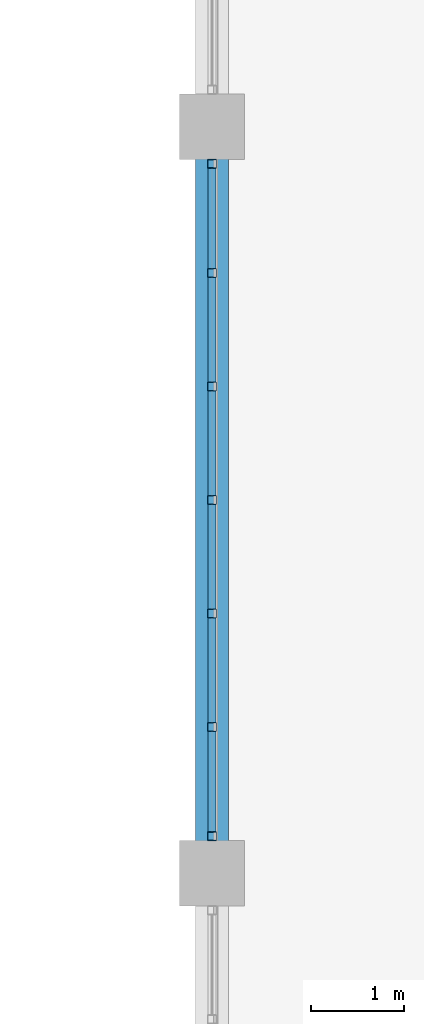
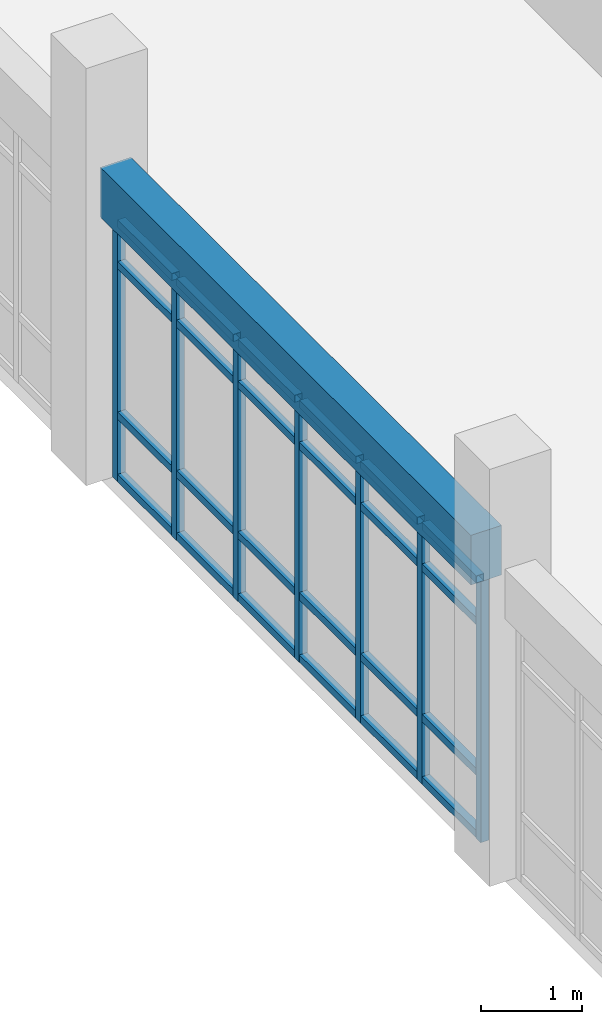
# One storey, part 95 of 159: 31 members, 1 beam, 1 element without a shape of its own.
"""IFC4 building model written with IfcOpenShell, lengths in metres."""

from ifc_helpers import new_model, si_unit, direction, frame, origin, origin_2d, place, context, subcontext, project, spatial, rectangle, hollow_rectangle, extrude, material, material_profile, profile_set, type_object, element, aggregate, save


model = new_model("IFC4")

# Units and contexts
model_context = context("Model", 3, precision=1e-05, world=origin(), true_north=direction((0.0, 1.0)))
body_context = subcontext(model_context, "Body", "Model", "MODEL_VIEW")
ifc_project = project(units=[si_unit("LENGTHUNIT", "METRE"), si_unit("AREAUNIT", "SQUARE_METRE"), si_unit("VOLUMEUNIT", "CUBIC_METRE"), si_unit("PLANEANGLEUNIT", "RADIAN"), si_unit("MASSUNIT", "GRAM", prefix="KILO")], contexts=[model_context])

# Site, building, storey
site_placement = place(None, origin())
site = spatial("IfcSite", under=ifc_project, at=site_placement, CompositionType="ELEMENT")
building_placement = place(site_placement, origin())
building = spatial("IfcBuilding", under=site, at=building_placement, Name="Celadon Cloister-Ring School", CompositionType="ELEMENT")
storey_placement = place(building_placement, frame((0.0, 0.0, 4.5)))
storey = spatial("IfcBuildingStorey", under=building, at=storey_placement, Name="L01", CompositionType="ELEMENT", Elevation=4.5)

# Beam
ifc_material_1 = material(Name="Concrete C35/45", Category="concrete")
ifc_material_profile_1 = material_profile(ifc_material_1, rectangle(XDim=0.35009765625, YDim=0.60009765625, at=origin_2d()), Name="RC350X600")
ifc_profile_set_1 = profile_set([ifc_material_profile_1], Name="Concrete C35/45")
beam_type = type_object("IfcBeamType", Name="BT-02", PredefinedType="BEAM", material=ifc_profile_set_1)
beam_placement = place(storey_placement, frame((142.0, 90.324951171875, 3.47998046875), z_axis=(0.0, 1.0, 0.0), x_axis=(-1.0, 0.0, 0.0)))
element("IfcBeam", 1, at=beam_placement, inside=storey, type_object=beam_type, Name="Beam 1171", PredefinedType="BEAM", context=body_context, shape_type="SweptSolid", body=[
    extrude(rectangle(XDim=0.35009765625, YDim=0.60009765625, at=origin_2d()), origin(), (0.0, 0.0, 1.0), 7.35009765625),
])

# Curtain wall, members
ifc_material_2 = material(Name="Aluminium EN AW-6063 T6", Category="aluminium")
curtain_wall_type = type_object("IfcCurtainWallType", Name="CW-09", PredefinedType="USERDEFINED", material=ifc_material_2)
curtain_wall_placement = place(storey_placement, origin())
curtain_wall = element("IfcCurtainWall", 2, at=curtain_wall_placement, inside=storey, type_object=curtain_wall_type, Name="Curtain Wall 0186", ObjectType="CURTAIN WALL", PredefinedType="USERDEFINED")
ifc_material_3 = material(Name="Aluminium EN AW-6063 T6", Category="aluminium")
ifc_material_profile_2 = material_profile(ifc_material_3, hollow_rectangle(XDim=0.094970703125, YDim=0.094970703125, WallThickness=0.00390625, at=origin_2d()), Name="RHS95X95X4")
ifc_profile_set_2 = profile_set([ifc_material_profile_2], Name="Aluminium EN AW-6063 T6")
member_type_1 = type_object("IfcMemberType", Name="CM-02", PredefinedType="MULLION", material=ifc_profile_set_2)
member_1_placement = place(storey_placement, frame((142.0, 90.3974609375, 0.0), z_axis=(0.0, 0.0, 1.0), x_axis=(-1.0, 0.0, 0.0)))
member_1 = element("IfcMember", 3, at=member_1_placement, type_object=member_type_1, Name="CW-09 mullion 1", PredefinedType="MULLION", context=body_context, shape_type="SweptSolid", body=[
    extrude(hollow_rectangle(XDim=0.094970703125, YDim=0.094970703125, WallThickness=0.00390625, at=origin_2d()), origin(), (0.0, 0.0, 1.0), 3.172119140625),
])
member_2_placement = place(storey_placement, frame((142.0, 91.566650390625, 0.0), z_axis=(0.0, 0.0, 1.0), x_axis=(-1.0, 0.0, 0.0)))
member_2 = element("IfcMember", 4, at=member_2_placement, type_object=member_type_1, Name="CW-09 mullion 2", PredefinedType="MULLION", context=body_context, shape_type="SweptSolid", body=[
    extrude(hollow_rectangle(XDim=0.094970703125, YDim=0.094970703125, WallThickness=0.00390625, at=origin_2d()), origin(), (0.0, 0.0, 1.0), 3.172119140625),
])
member_3_placement = place(storey_placement, frame((142.0, 92.783447265625, 0.0), z_axis=(0.0, 0.0, 1.0), x_axis=(-1.0, 0.0, 0.0)))
member_3 = element("IfcMember", 5, at=member_3_placement, type_object=member_type_1, Name="CW-09 mullion 3", PredefinedType="MULLION", context=body_context, shape_type="SweptSolid", body=[
    extrude(hollow_rectangle(XDim=0.094970703125, YDim=0.094970703125, WallThickness=0.00390625, at=origin_2d()), origin(), (0.0, 0.0, 1.0), 3.172119140625),
])
member_4_placement = place(storey_placement, frame((142.0, 94.0, 0.0), z_axis=(0.0, 0.0, 1.0), x_axis=(-1.0, 0.0, 0.0)))
member_4 = element("IfcMember", 6, at=member_4_placement, type_object=member_type_1, Name="CW-09 mullion 4", PredefinedType="MULLION", context=body_context, shape_type="SweptSolid", body=[
    extrude(hollow_rectangle(XDim=0.094970703125, YDim=0.094970703125, WallThickness=0.00390625, at=origin_2d()), origin(), (0.0, 0.0, 1.0), 3.172119140625),
])
member_5_placement = place(storey_placement, frame((142.0, 95.216552734375, 0.0), z_axis=(0.0, 0.0, 1.0), x_axis=(-1.0, 0.0, 0.0)))
member_5 = element("IfcMember", 7, at=member_5_placement, type_object=member_type_1, Name="CW-09 mullion 5", PredefinedType="MULLION", context=body_context, shape_type="SweptSolid", body=[
    extrude(hollow_rectangle(XDim=0.094970703125, YDim=0.094970703125, WallThickness=0.00390625, at=origin_2d()), origin(), (0.0, 0.0, 1.0), 3.172119140625),
])
member_6_placement = place(storey_placement, frame((142.0, 96.433349609375, 0.0), z_axis=(0.0, 0.0, 1.0), x_axis=(-1.0, 0.0, 0.0)))
member_6 = element("IfcMember", 8, at=member_6_placement, type_object=member_type_1, Name="CW-09 mullion 6", PredefinedType="MULLION", context=body_context, shape_type="SweptSolid", body=[
    extrude(hollow_rectangle(XDim=0.094970703125, YDim=0.094970703125, WallThickness=0.00390625, at=origin_2d()), origin(), (0.0, 0.0, 1.0), 3.172119140625),
])
member_7_placement = place(storey_placement, frame((142.0, 97.6025390625, 0.0), z_axis=(0.0, 0.0, 1.0), x_axis=(-1.0, 0.0, 0.0)))
member_7 = element("IfcMember", 9, at=member_7_placement, type_object=member_type_1, Name="CW-09 mullion 7", PredefinedType="MULLION", context=body_context, shape_type="SweptSolid", body=[
    extrude(hollow_rectangle(XDim=0.094970703125, YDim=0.094970703125, WallThickness=0.00390625, at=origin_2d()), origin(), (0.0, 0.0, 1.0), 3.172119140625),
])
ifc_material_4 = material(Name="Aluminium EN AW-6063 T6", Category="aluminium")
ifc_material_profile_3 = material_profile(ifc_material_4, hollow_rectangle(XDim=0.090087890625, YDim=0.090087890625, WallThickness=0.00390625, at=origin_2d()), Name="RHS90X90X4")
ifc_profile_set_3 = profile_set([ifc_material_profile_3], Name="Aluminium EN AW-6063 T6")
member_type_2 = type_object("IfcMemberType", Name="CTM-02", PredefinedType="USERDEFINED", material=ifc_profile_set_3)
member_8_placement = place(storey_placement, frame((142.0, 90.445068359375, 0.044921875), z_axis=(0.0, 1.0, 0.0), x_axis=(-1.0, 0.0, 0.0)))
member_8 = element("IfcMember", 10, at=member_8_placement, type_object=member_type_2, Name="CW-09 transom 1.1", ObjectType="TRANSOM", PredefinedType="USERDEFINED", context=body_context, shape_type="SweptSolid", body=[
    extrude(hollow_rectangle(XDim=0.090087890625, YDim=0.090087890625, WallThickness=0.00390625, at=origin_2d()), origin(), (0.0, 0.0, 1.0), 1.07421875),
])
member_9_placement = place(storey_placement, frame((142.0, 90.445068359375, 0.800048828125), z_axis=(0.0, 1.0, 0.0), x_axis=(-1.0, 0.0, 0.0)))
member_9 = element("IfcMember", 11, at=member_9_placement, type_object=member_type_2, Name="CW-09 transom 1.2", ObjectType="TRANSOM", PredefinedType="USERDEFINED", context=body_context, shape_type="SweptSolid", body=[
    extrude(hollow_rectangle(XDim=0.090087890625, YDim=0.090087890625, WallThickness=0.00390625, at=origin_2d()), origin(), (0.0, 0.0, 1.0), 1.07421875),
])
member_10_placement = place(storey_placement, frame((142.0, 90.445068359375, 2.6220703125), z_axis=(0.0, 1.0, 0.0), x_axis=(-1.0, 0.0, 0.0)))
member_10 = element("IfcMember", 12, at=member_10_placement, type_object=member_type_2, Name="CW-09 transom 1.3", ObjectType="TRANSOM", PredefinedType="USERDEFINED", context=body_context, shape_type="SweptSolid", body=[
    extrude(hollow_rectangle(XDim=0.090087890625, YDim=0.090087890625, WallThickness=0.00390625, at=origin_2d()), origin(), (0.0, 0.0, 1.0), 1.07421875),
])
member_11_placement = place(storey_placement, frame((142.0, 90.445068359375, 3.126953125), z_axis=(0.0, 1.0, 0.0), x_axis=(-1.0, 0.0, 0.0)))
member_11 = element("IfcMember", 13, at=member_11_placement, type_object=member_type_2, Name="CW-09 transom 1.4", ObjectType="TRANSOM", PredefinedType="USERDEFINED", context=body_context, shape_type="SweptSolid", body=[
    extrude(hollow_rectangle(XDim=0.090087890625, YDim=0.090087890625, WallThickness=0.00390625, at=origin_2d()), origin(), (0.0, 0.0, 1.0), 1.07421875),
])
member_12_placement = place(storey_placement, frame((142.0, 91.6142578125, 0.044921875), z_axis=(0.0, 1.0, 0.0), x_axis=(-1.0, 0.0, 0.0)))
member_12 = element("IfcMember", 14, at=member_12_placement, type_object=member_type_2, Name="CW-09 transom 2.1", ObjectType="TRANSOM", PredefinedType="USERDEFINED", context=body_context, shape_type="SweptSolid", body=[
    extrude(hollow_rectangle(XDim=0.090087890625, YDim=0.090087890625, WallThickness=0.00390625, at=origin_2d()), origin(), (0.0, 0.0, 1.0), 1.12158203125),
])
member_13_placement = place(storey_placement, frame((142.0, 91.6142578125, 0.800048828125), z_axis=(0.0, 1.0, 0.0), x_axis=(-1.0, 0.0, 0.0)))
member_13 = element("IfcMember", 15, at=member_13_placement, type_object=member_type_2, Name="CW-09 transom 2.2", ObjectType="TRANSOM", PredefinedType="USERDEFINED", context=body_context, shape_type="SweptSolid", body=[
    extrude(hollow_rectangle(XDim=0.090087890625, YDim=0.090087890625, WallThickness=0.00390625, at=origin_2d()), origin(), (0.0, 0.0, 1.0), 1.12158203125),
])
member_14_placement = place(storey_placement, frame((142.0, 91.6142578125, 2.6220703125), z_axis=(0.0, 1.0, 0.0), x_axis=(-1.0, 0.0, 0.0)))
member_14 = element("IfcMember", 16, at=member_14_placement, type_object=member_type_2, Name="CW-09 transom 2.3", ObjectType="TRANSOM", PredefinedType="USERDEFINED", context=body_context, shape_type="SweptSolid", body=[
    extrude(hollow_rectangle(XDim=0.090087890625, YDim=0.090087890625, WallThickness=0.00390625, at=origin_2d()), origin(), (0.0, 0.0, 1.0), 1.12158203125),
])
member_15_placement = place(storey_placement, frame((142.0, 91.6142578125, 3.126953125), z_axis=(0.0, 1.0, 0.0), x_axis=(-1.0, 0.0, 0.0)))
member_15 = element("IfcMember", 17, at=member_15_placement, type_object=member_type_2, Name="CW-09 transom 2.4", ObjectType="TRANSOM", PredefinedType="USERDEFINED", context=body_context, shape_type="SweptSolid", body=[
    extrude(hollow_rectangle(XDim=0.090087890625, YDim=0.090087890625, WallThickness=0.00390625, at=origin_2d()), origin(), (0.0, 0.0, 1.0), 1.12158203125),
])
member_16_placement = place(storey_placement, frame((142.0, 92.830810546875, 0.044921875), z_axis=(0.0, 1.0, 0.0), x_axis=(-1.0, 0.0, 0.0)))
member_16 = element("IfcMember", 18, at=member_16_placement, type_object=member_type_2, Name="CW-09 transom 3.1", ObjectType="TRANSOM", PredefinedType="USERDEFINED", context=body_context, shape_type="SweptSolid", body=[
    extrude(hollow_rectangle(XDim=0.090087890625, YDim=0.090087890625, WallThickness=0.00390625, at=origin_2d()), origin(), (0.0, 0.0, 1.0), 1.12158203125),
])
member_17_placement = place(storey_placement, frame((142.0, 92.830810546875, 0.800048828125), z_axis=(0.0, 1.0, 0.0), x_axis=(-1.0, 0.0, 0.0)))
member_17 = element("IfcMember", 19, at=member_17_placement, type_object=member_type_2, Name="CW-09 transom 3.2", ObjectType="TRANSOM", PredefinedType="USERDEFINED", context=body_context, shape_type="SweptSolid", body=[
    extrude(hollow_rectangle(XDim=0.090087890625, YDim=0.090087890625, WallThickness=0.00390625, at=origin_2d()), origin(), (0.0, 0.0, 1.0), 1.12158203125),
])
member_18_placement = place(storey_placement, frame((142.0, 92.830810546875, 2.6220703125), z_axis=(0.0, 1.0, 0.0), x_axis=(-1.0, 0.0, 0.0)))
member_18 = element("IfcMember", 20, at=member_18_placement, type_object=member_type_2, Name="CW-09 transom 3.3", ObjectType="TRANSOM", PredefinedType="USERDEFINED", context=body_context, shape_type="SweptSolid", body=[
    extrude(hollow_rectangle(XDim=0.090087890625, YDim=0.090087890625, WallThickness=0.00390625, at=origin_2d()), origin(), (0.0, 0.0, 1.0), 1.12158203125),
])
member_19_placement = place(storey_placement, frame((142.0, 92.830810546875, 3.126953125), z_axis=(0.0, 1.0, 0.0), x_axis=(-1.0, 0.0, 0.0)))
member_19 = element("IfcMember", 21, at=member_19_placement, type_object=member_type_2, Name="CW-09 transom 3.4", ObjectType="TRANSOM", PredefinedType="USERDEFINED", context=body_context, shape_type="SweptSolid", body=[
    extrude(hollow_rectangle(XDim=0.090087890625, YDim=0.090087890625, WallThickness=0.00390625, at=origin_2d()), origin(), (0.0, 0.0, 1.0), 1.12158203125),
])
member_20_placement = place(storey_placement, frame((142.0, 94.047607421875, 0.044921875), z_axis=(0.0, 1.0, 0.0), x_axis=(-1.0, 0.0, 0.0)))
member_20 = element("IfcMember", 22, at=member_20_placement, type_object=member_type_2, Name="CW-09 transom 4.1", ObjectType="TRANSOM", PredefinedType="USERDEFINED", context=body_context, shape_type="SweptSolid", body=[
    extrude(hollow_rectangle(XDim=0.090087890625, YDim=0.090087890625, WallThickness=0.00390625, at=origin_2d()), origin(), (0.0, 0.0, 1.0), 1.12158203125),
])
member_21_placement = place(storey_placement, frame((142.0, 94.047607421875, 0.800048828125), z_axis=(0.0, 1.0, 0.0), x_axis=(-1.0, 0.0, 0.0)))
member_21 = element("IfcMember", 23, at=member_21_placement, type_object=member_type_2, Name="CW-09 transom 4.2", ObjectType="TRANSOM", PredefinedType="USERDEFINED", context=body_context, shape_type="SweptSolid", body=[
    extrude(hollow_rectangle(XDim=0.090087890625, YDim=0.090087890625, WallThickness=0.00390625, at=origin_2d()), origin(), (0.0, 0.0, 1.0), 1.12158203125),
])
member_22_placement = place(storey_placement, frame((142.0, 94.047607421875, 2.6220703125), z_axis=(0.0, 1.0, 0.0), x_axis=(-1.0, 0.0, 0.0)))
member_22 = element("IfcMember", 24, at=member_22_placement, type_object=member_type_2, Name="CW-09 transom 4.3", ObjectType="TRANSOM", PredefinedType="USERDEFINED", context=body_context, shape_type="SweptSolid", body=[
    extrude(hollow_rectangle(XDim=0.090087890625, YDim=0.090087890625, WallThickness=0.00390625, at=origin_2d()), origin(), (0.0, 0.0, 1.0), 1.12158203125),
])
member_23_placement = place(storey_placement, frame((142.0, 94.047607421875, 3.126953125), z_axis=(0.0, 1.0, 0.0), x_axis=(-1.0, 0.0, 0.0)))
member_23 = element("IfcMember", 25, at=member_23_placement, type_object=member_type_2, Name="CW-09 transom 4.4", ObjectType="TRANSOM", PredefinedType="USERDEFINED", context=body_context, shape_type="SweptSolid", body=[
    extrude(hollow_rectangle(XDim=0.090087890625, YDim=0.090087890625, WallThickness=0.00390625, at=origin_2d()), origin(), (0.0, 0.0, 1.0), 1.12158203125),
])
member_24_placement = place(storey_placement, frame((142.0, 95.26416015625, 0.044921875), z_axis=(0.0, 1.0, 0.0), x_axis=(-1.0, 0.0, 0.0)))
member_24 = element("IfcMember", 26, at=member_24_placement, type_object=member_type_2, Name="CW-09 transom 5.1", ObjectType="TRANSOM", PredefinedType="USERDEFINED", context=body_context, shape_type="SweptSolid", body=[
    extrude(hollow_rectangle(XDim=0.090087890625, YDim=0.090087890625, WallThickness=0.00390625, at=origin_2d()), origin(), (0.0, 0.0, 1.0), 1.12158203125),
])
member_25_placement = place(storey_placement, frame((142.0, 95.26416015625, 0.800048828125), z_axis=(0.0, 1.0, 0.0), x_axis=(-1.0, 0.0, 0.0)))
member_25 = element("IfcMember", 27, at=member_25_placement, type_object=member_type_2, Name="CW-09 transom 5.2", ObjectType="TRANSOM", PredefinedType="USERDEFINED", context=body_context, shape_type="SweptSolid", body=[
    extrude(hollow_rectangle(XDim=0.090087890625, YDim=0.090087890625, WallThickness=0.00390625, at=origin_2d()), origin(), (0.0, 0.0, 1.0), 1.12158203125),
])
member_26_placement = place(storey_placement, frame((142.0, 95.26416015625, 2.6220703125), z_axis=(0.0, 1.0, 0.0), x_axis=(-1.0, 0.0, 0.0)))
member_26 = element("IfcMember", 28, at=member_26_placement, type_object=member_type_2, Name="CW-09 transom 5.3", ObjectType="TRANSOM", PredefinedType="USERDEFINED", context=body_context, shape_type="SweptSolid", body=[
    extrude(hollow_rectangle(XDim=0.090087890625, YDim=0.090087890625, WallThickness=0.00390625, at=origin_2d()), origin(), (0.0, 0.0, 1.0), 1.12158203125),
])
member_27_placement = place(storey_placement, frame((142.0, 95.26416015625, 3.126953125), z_axis=(0.0, 1.0, 0.0), x_axis=(-1.0, 0.0, 0.0)))
member_27 = element("IfcMember", 29, at=member_27_placement, type_object=member_type_2, Name="CW-09 transom 5.4", ObjectType="TRANSOM", PredefinedType="USERDEFINED", context=body_context, shape_type="SweptSolid", body=[
    extrude(hollow_rectangle(XDim=0.090087890625, YDim=0.090087890625, WallThickness=0.00390625, at=origin_2d()), origin(), (0.0, 0.0, 1.0), 1.12158203125),
])
member_28_placement = place(storey_placement, frame((142.0, 96.480712890625, 0.044921875), z_axis=(0.0, 1.0, 0.0), x_axis=(-1.0, 0.0, 0.0)))
member_28 = element("IfcMember", 30, at=member_28_placement, type_object=member_type_2, Name="CW-09 transom 6.1", ObjectType="TRANSOM", PredefinedType="USERDEFINED", context=body_context, shape_type="SweptSolid", body=[
    extrude(hollow_rectangle(XDim=0.090087890625, YDim=0.090087890625, WallThickness=0.00390625, at=origin_2d()), origin(), (0.0, 0.0, 1.0), 1.07421875),
])
member_29_placement = place(storey_placement, frame((142.0, 96.480712890625, 0.800048828125), z_axis=(0.0, 1.0, 0.0), x_axis=(-1.0, 0.0, 0.0)))
member_29 = element("IfcMember", 31, at=member_29_placement, type_object=member_type_2, Name="CW-09 transom 6.2", ObjectType="TRANSOM", PredefinedType="USERDEFINED", context=body_context, shape_type="SweptSolid", body=[
    extrude(hollow_rectangle(XDim=0.090087890625, YDim=0.090087890625, WallThickness=0.00390625, at=origin_2d()), origin(), (0.0, 0.0, 1.0), 1.07421875),
])
member_30_placement = place(storey_placement, frame((142.0, 96.480712890625, 2.6220703125), z_axis=(0.0, 1.0, 0.0), x_axis=(-1.0, 0.0, 0.0)))
member_30 = element("IfcMember", 32, at=member_30_placement, type_object=member_type_2, Name="CW-09 transom 6.3", ObjectType="TRANSOM", PredefinedType="USERDEFINED", context=body_context, shape_type="SweptSolid", body=[
    extrude(hollow_rectangle(XDim=0.090087890625, YDim=0.090087890625, WallThickness=0.00390625, at=origin_2d()), origin(), (0.0, 0.0, 1.0), 1.07421875),
])
member_31_placement = place(storey_placement, frame((142.0, 96.480712890625, 3.126953125), z_axis=(0.0, 1.0, 0.0), x_axis=(-1.0, 0.0, 0.0)))
member_31 = element("IfcMember", 33, at=member_31_placement, type_object=member_type_2, Name="CW-09 transom 6.4", ObjectType="TRANSOM", PredefinedType="USERDEFINED", context=body_context, shape_type="SweptSolid", body=[
    extrude(hollow_rectangle(XDim=0.090087890625, YDim=0.090087890625, WallThickness=0.00390625, at=origin_2d()), origin(), (0.0, 0.0, 1.0), 1.07421875),
])
aggregate(curtain_wall, [member_1, member_2, member_3, member_4, member_5, member_6, member_7, member_8, member_9, member_10, member_11, member_12, member_13, member_14, member_15, member_16, member_17, member_18, member_19, member_20, member_21, member_22, member_23, member_24, member_25, member_26, member_27, member_28, member_29, member_30, member_31])

save(model, "model.ifc")
